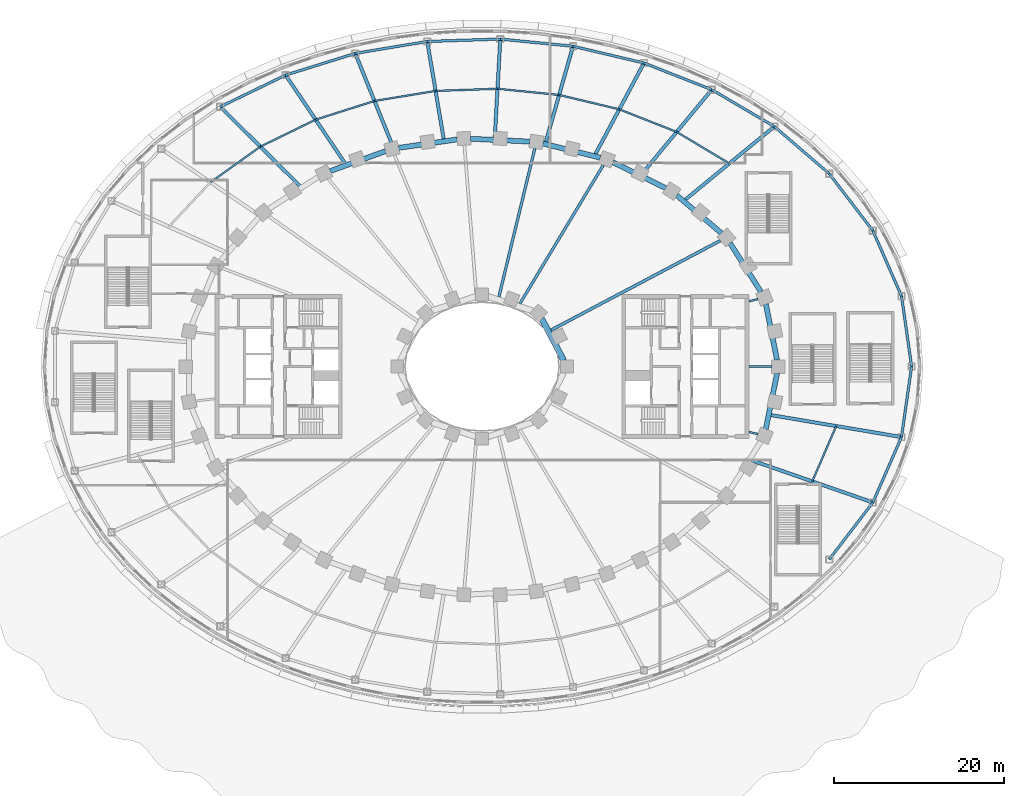
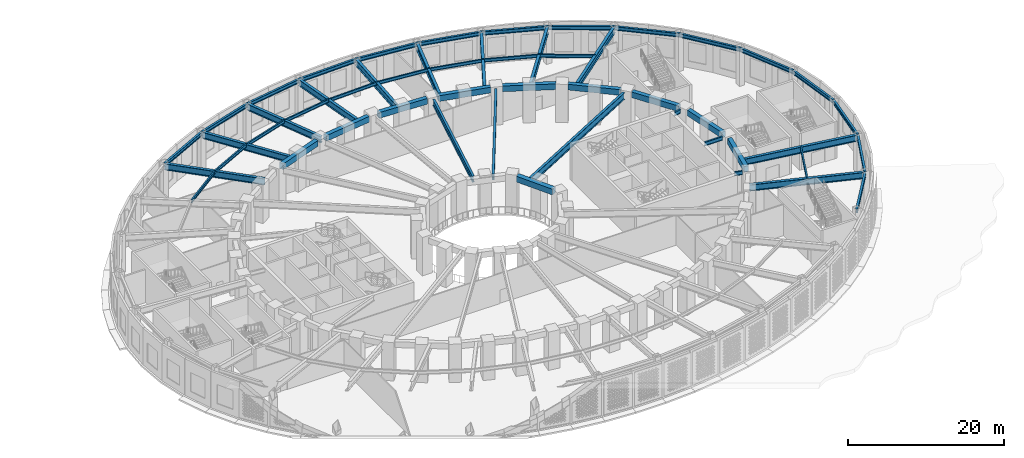
# One storey, part 13 of 74: 52 beams.
"""IFC4 building model written with IfcOpenShell, lengths in metres."""

from ifc_helpers import new_model, si_unit, direction, frame, origin, origin_2d, place, context, subcontext, project, spatial, rectangle, i_section, extrude, material, material_profile, profile_set, type_object, element, save


model = new_model("IFC4")

# Units and contexts
model_context = context("Model", 3, precision=1e-05, world=origin(), true_north=direction((0.0, 1.0)))
body_context = subcontext(model_context, "Body", "Model", "MODEL_VIEW")
ifc_project = project(units=[si_unit("LENGTHUNIT", "METRE"), si_unit("AREAUNIT", "SQUARE_METRE"), si_unit("VOLUMEUNIT", "CUBIC_METRE"), si_unit("PLANEANGLEUNIT", "RADIAN"), si_unit("MASSUNIT", "GRAM", prefix="KILO")], contexts=[model_context])

# Site, building, storey
site_placement = place(None, origin())
site = spatial("IfcSite", under=ifc_project, at=site_placement, CompositionType="ELEMENT")
building_placement = place(site_placement, origin())
building = spatial("IfcBuilding", under=site, at=building_placement, Name="Noorbagh Ring Tower", CompositionType="ELEMENT")
storey_placement = place(building_placement, frame((0.0, 0.0, 7.5)))
storey = spatial("IfcBuildingStorey", under=building, at=storey_placement, Name="L01", CompositionType="ELEMENT", Elevation=7.5)

# Beams
ifc_material_1 = material(Name="Steel S355", Category="steel")
ifc_material_profile_1 = material_profile(ifc_material_1, i_section(OverallWidth=0.300048828125, OverallDepth=0.60009765625, WebThickness=0.015380859375, FlangeThickness=0.030029296875, FilletRadius=0.027099609375, at=origin_2d()), Name="HEB600")
ifc_profile_set_1 = profile_set([ifc_material_profile_1], Name="Steel S355")
beam_type_1 = type_object("IfcBeamType", Name="GND-EDGE-BEAM-HEB600", PredefinedType="BEAM", material=ifc_profile_set_1)
beam_1_placement = place(storey_placement, frame((50.646484375, 0.0, 5.449951171875), z_axis=(-0.14132764164, 0.989962876934, 0.0), x_axis=(-0.989962876934, -0.14132764164, 0.0)))
element("IfcBeam", 1, at=beam_1_placement, inside=storey, type_object=beam_type_1, Name="L01/bm/ERP-01", PredefinedType="BEAM", context=body_context, shape_type="SweptSolid", body=[
    extrude(i_section(OverallWidth=0.300048828125, OverallDepth=0.60009765625, WebThickness=0.015380859375, FlangeThickness=0.030029296875, FilletRadius=0.027099609375, at=origin_2d()), origin(), (0.0, 0.0, 1.0), 8.388671875),
])
beam_2_placement = place(storey_placement, frame((49.4609375, 8.304443359375, 5.449951171875), z_axis=(-0.401171506371, 0.916002959862, 0.0), x_axis=(-0.916002959862, -0.401171506371, 0.0)))
element("IfcBeam", 2, at=beam_2_placement, inside=storey, type_object=beam_type_1, Name="L01/bm/ERP-02", PredefinedType="BEAM", context=body_context, shape_type="SweptSolid", body=[
    extrude(i_section(OverallWidth=0.300048828125, OverallDepth=0.60009765625, WebThickness=0.015380859375, FlangeThickness=0.030029296875, FilletRadius=0.027099609375, at=origin_2d()), origin(), (0.0, 0.0, 1.0), 8.42431640625),
])
beam_3_placement = place(storey_placement, frame((46.081298828125, 16.021240234375, 5.449951171875), z_axis=(-0.608048680374, 0.793899743227, 0.0), x_axis=(-0.793899743227, -0.608048680374, 0.0)))
element("IfcBeam", 3, at=beam_3_placement, inside=storey, type_object=beam_type_1, Name="L01/bm/ERP-03", PredefinedType="BEAM", context=body_context, shape_type="SweptSolid", body=[
    extrude(i_section(OverallWidth=0.300048828125, OverallDepth=0.60009765625, WebThickness=0.015380859375, FlangeThickness=0.030029296875, FilletRadius=0.027099609375, at=origin_2d()), origin(), (0.0, 0.0, 1.0), 8.4755859375),
])
beam_4_placement = place(storey_placement, frame((40.927734375, 22.75, 5.449951171875), z_axis=(-0.758254861469, 0.651958254076, 0.0), x_axis=(-0.651958254076, -0.758254861469, 0.0)))
element("IfcBeam", 4, at=beam_4_placement, inside=storey, type_object=beam_type_1, Name="L01/bm/ERP-04", PredefinedType="BEAM", context=body_context, shape_type="SweptSolid", body=[
    extrude(i_section(OverallWidth=0.300048828125, OverallDepth=0.60009765625, WebThickness=0.015380859375, FlangeThickness=0.030029296875, FilletRadius=0.027099609375, at=origin_2d()), origin(), (0.0, 0.0, 1.0), 8.5234375),
])
beam_5_placement = place(storey_placement, frame((34.46484375, 28.306884765625, 5.449951171875), z_axis=(-0.8618652907, 0.507137279922, 0.0), x_axis=(-0.507137279922, -0.8618652907, 0.0)))
element("IfcBeam", 5, at=beam_5_placement, inside=storey, type_object=beam_type_1, Name="L01/bm/ERP-05", PredefinedType="BEAM", context=body_context, shape_type="SweptSolid", body=[
    extrude(i_section(OverallWidth=0.300048828125, OverallDepth=0.60009765625, WebThickness=0.015380859375, FlangeThickness=0.030029296875, FilletRadius=0.027099609375, at=origin_2d()), origin(), (0.0, 0.0, 1.0), 8.560302734375),
])
beam_6_placement = place(storey_placement, frame((27.0869140625, 32.648193359375, 5.449951171875), z_axis=(-0.930571668723, 0.366109777758, 0.0), x_axis=(-0.366109777758, -0.930571668723, 0.0)))
element("IfcBeam", 6, at=beam_6_placement, inside=storey, type_object=beam_type_1, Name="L01/bm/ERP-06", PredefinedType="BEAM", context=body_context, shape_type="SweptSolid", body=[
    extrude(i_section(OverallWidth=0.300048828125, OverallDepth=0.60009765625, WebThickness=0.015380859375, FlangeThickness=0.030029296875, FilletRadius=0.027099609375, at=origin_2d()), origin(), (0.0, 0.0, 1.0), 8.58642578125),
])
beam_7_placement = place(storey_placement, frame((19.0966796875, 35.791748046875, 5.449951171875), z_axis=(-0.973167977411, 0.230095822957, 0.0), x_axis=(-0.230095822957, -0.973167977411, 0.0)))
element("IfcBeam", 7, at=beam_7_placement, inside=storey, type_object=beam_type_1, Name="L01/bm/ERP-07", PredefinedType="BEAM", context=body_context, shape_type="SweptSolid", body=[
    extrude(i_section(OverallWidth=0.300048828125, OverallDepth=0.60009765625, WebThickness=0.015380859375, FlangeThickness=0.030029296875, FilletRadius=0.027099609375, at=origin_2d()), origin(), (0.0, 0.0, 1.0), 8.602783203125),
])
beam_8_placement = place(storey_placement, frame((10.724609375, 37.771240234375, 5.449951171875), z_axis=(-0.9951967317, 0.097895174616, 0.0), x_axis=(-0.097895174616, -0.9951967317, 0.0)))
element("IfcBeam", 8, at=beam_8_placement, inside=storey, type_object=beam_type_1, Name="L01/bm/ERP-08", PredefinedType="BEAM", context=body_context, shape_type="SweptSolid", body=[
    extrude(i_section(OverallWidth=0.300048828125, OverallDepth=0.60009765625, WebThickness=0.015380859375, FlangeThickness=0.030029296875, FilletRadius=0.027099609375, at=origin_2d()), origin(), (0.0, 0.0, 1.0), 8.611328125),
])
beam_9_placement = place(storey_placement, frame((2.154541015625, 38.6142578125, 5.449951171875), z_axis=(-0.999468589483, -0.032596604688, 0.0), x_axis=(0.032596604688, -0.999468589483, 0.0)))
element("IfcBeam", 9, at=beam_9_placement, inside=storey, type_object=beam_type_1, Name="L01/bm/ERP-09", PredefinedType="BEAM", context=body_context, shape_type="SweptSolid", body=[
    extrude(i_section(OverallWidth=0.300048828125, OverallDepth=0.60009765625, WebThickness=0.015380859375, FlangeThickness=0.030029296875, FilletRadius=0.027099609375, at=origin_2d()), origin(), (0.0, 0.0, 1.0), 8.61328125),
])
beam_10_placement = place(storey_placement, frame((-6.4541015625, 38.33349609375, 5.449951171875), z_axis=(-0.986523163949, -0.163621658075, 0.0), x_axis=(0.163621658075, -0.986523163949, 0.0)))
element("IfcBeam", 10, at=beam_10_placement, inside=storey, type_object=beam_type_1, Name="L01/bm/ERP-10", PredefinedType="BEAM", context=body_context, shape_type="SweptSolid", body=[
    extrude(i_section(OverallWidth=0.300048828125, OverallDepth=0.60009765625, WebThickness=0.015380859375, FlangeThickness=0.030029296875, FilletRadius=0.027099609375, at=origin_2d()), origin(), (0.0, 0.0, 1.0), 8.60791015625),
])
beam_11_placement = place(storey_placement, frame((-14.946044921875, 36.925048828125, 5.449951171875), z_axis=(-0.954717204091, -0.297514806713, 0.0), x_axis=(0.297514806713, -0.954717204091, 0.0)))
element("IfcBeam", 11, at=beam_11_placement, inside=storey, type_object=beam_type_1, Name="L01/bm/ERP-11", PredefinedType="BEAM", context=body_context, shape_type="SweptSolid", body=[
    extrude(i_section(OverallWidth=0.300048828125, OverallDepth=0.60009765625, WebThickness=0.015380859375, FlangeThickness=0.030029296875, FilletRadius=0.027099609375, at=origin_2d()), origin(), (0.0, 0.0, 1.0), 8.595703125),
])
beam_12_placement = place(storey_placement, frame((-23.152587890625, 34.36767578125, 5.449951171875), z_axis=(-0.89994920641, -0.435994754421, 0.0), x_axis=(0.435994754421, -0.89994920641, 0.0)))
element("IfcBeam", 12, at=beam_12_placement, inside=storey, type_object=beam_type_1, Name="L01/bm/ERP-12", PredefinedType="BEAM", context=body_context, shape_type="SweptSolid", body=[
    extrude(i_section(OverallWidth=0.300048828125, OverallDepth=0.60009765625, WebThickness=0.015380859375, FlangeThickness=0.030029296875, FilletRadius=0.027099609375, at=origin_2d()), origin(), (0.0, 0.0, 1.0), 8.57470703125),
])
beam_13_placement = place(storey_placement, frame((40.927734375, -22.75, 5.449951171875), z_axis=(0.608048680374, 0.793899743227, 0.0), x_axis=(-0.793899743227, 0.608048680374, 0.0)))
element("IfcBeam", 13, at=beam_13_placement, inside=storey, type_object=beam_type_1, Name="L01/bm/ERP-31", PredefinedType="BEAM", context=body_context, shape_type="SweptSolid", body=[
    extrude(i_section(OverallWidth=0.300048828125, OverallDepth=0.60009765625, WebThickness=0.015380859375, FlangeThickness=0.030029296875, FilletRadius=0.027099609375, at=origin_2d()), origin(), (0.0, 0.0, 1.0), 8.4755859375),
])
beam_14_placement = place(storey_placement, frame((46.081298828125, -16.021240234375, 5.449951171875), z_axis=(0.401171506371, 0.916002959862, 0.0), x_axis=(-0.916002959862, 0.401171506371, 0.0)))
element("IfcBeam", 14, at=beam_14_placement, inside=storey, type_object=beam_type_1, Name="L01/bm/ERP-32", PredefinedType="BEAM", context=body_context, shape_type="SweptSolid", body=[
    extrude(i_section(OverallWidth=0.300048828125, OverallDepth=0.60009765625, WebThickness=0.015380859375, FlangeThickness=0.030029296875, FilletRadius=0.027099609375, at=origin_2d()), origin(), (0.0, 0.0, 1.0), 8.42431640625),
])
beam_15_placement = place(storey_placement, frame((49.4609375, -8.304443359375, 5.449951171875), z_axis=(0.14132764164, 0.989962876934, 0.0), x_axis=(-0.989962876934, 0.14132764164, 0.0)))
element("IfcBeam", 15, at=beam_15_placement, inside=storey, type_object=beam_type_1, Name="L01/bm/ERP-33", PredefinedType="BEAM", context=body_context, shape_type="SweptSolid", body=[
    extrude(i_section(OverallWidth=0.300048828125, OverallDepth=0.60009765625, WebThickness=0.015380859375, FlangeThickness=0.030029296875, FilletRadius=0.027099609375, at=origin_2d()), origin(), (0.0, 0.0, 1.0), 8.388671875),
])
ifc_material_2 = material(Name="Steel S355", Category="steel")
ifc_material_profile_2 = material_profile(ifc_material_2, i_section(OverallWidth=0.39990234375, OverallDepth=1.0, WebThickness=0.01611328125, FlangeThickness=0.0400390625, at=origin_2d()), Name="PG1000x400x16x40")
ifc_profile_set_2 = profile_set([ifc_material_profile_2], Name="Steel S355")
beam_type_2 = type_object("IfcBeamType", Name="GND-GIRDER-PG1000x400x16x40", PredefinedType="BEAM", material=ifc_profile_set_2)
beam_16_placement = place(storey_placement, frame((34.46484375, 28.306884765625, 5.25), z_axis=(-0.772763025599, -0.63469465593, 0.0), x_axis=(0.63469465593, -0.772763025599, 0.0)))
element("IfcBeam", 16, at=beam_16_placement, inside=storey, type_object=beam_type_2, Name="L01/bm/GRP-05", PredefinedType="BEAM", context=body_context, shape_type="SweptSolid", body=[
    extrude(i_section(OverallWidth=0.39990234375, OverallDepth=1.0, WebThickness=0.01611328125, FlangeThickness=0.0400390625, at=origin_2d()), origin(), (0.0, 0.0, 1.0), 13.723388671875),
])
beam_17_placement = place(storey_placement, frame((27.0869140625, 32.648193359375, 5.25), z_axis=(-0.638516852805, -0.769607840841, 0.0), x_axis=(0.769607840841, -0.638516852805, 0.0)))
element("IfcBeam", 17, at=beam_17_placement, inside=storey, type_object=beam_type_2, Name="L01/bm/GRP-06", PredefinedType="BEAM", context=body_context, shape_type="SweptSolid", body=[
    extrude(i_section(OverallWidth=0.39990234375, OverallDepth=1.0, WebThickness=0.01611328125, FlangeThickness=0.0400390625, at=origin_2d()), origin(), (0.0, 0.0, 1.0), 12.943603515625),
])
beam_18_placement = place(storey_placement, frame((19.0966796875, 35.791748046875, 5.25), z_axis=(-0.470746944877, -0.88226827773, 0.0), x_axis=(0.88226827773, -0.470746944877, 0.0)))
element("IfcBeam", 18, at=beam_18_placement, inside=storey, type_object=beam_type_2, Name="L01/bm/GRP-07", PredefinedType="BEAM", context=body_context, shape_type="SweptSolid", body=[
    extrude(i_section(OverallWidth=0.39990234375, OverallDepth=1.0, WebThickness=0.01611328125, FlangeThickness=0.0400390625, at=origin_2d()), origin(), (0.0, 0.0, 1.0), 12.375),
])
beam_19_placement = place(storey_placement, frame((10.724609375, 37.771240234375, 5.25), z_axis=(-0.273130016452, -0.961977127645, 0.0), x_axis=(0.961977127645, -0.273130016452, 0.0)))
element("IfcBeam", 19, at=beam_19_placement, inside=storey, type_object=beam_type_2, Name="L01/bm/GRP-08", PredefinedType="BEAM", context=body_context, shape_type="SweptSolid", body=[
    extrude(i_section(OverallWidth=0.39990234375, OverallDepth=1.0, WebThickness=0.01611328125, FlangeThickness=0.0400390625, at=origin_2d()), origin(), (0.0, 0.0, 1.0), 11.939208984375),
])
beam_20_placement = place(storey_placement, frame((2.154541015625, 38.6142578125, 5.25), z_axis=(-0.055716608816, -0.998446623261, 0.0), x_axis=(0.998446623261, -0.055716608816, 0.0)))
element("IfcBeam", 20, at=beam_20_placement, inside=storey, type_object=beam_type_2, Name="L01/bm/GRP-09", PredefinedType="BEAM", context=body_context, shape_type="SweptSolid", body=[
    extrude(i_section(OverallWidth=0.39990234375, OverallDepth=1.0, WebThickness=0.01611328125, FlangeThickness=0.0400390625, at=origin_2d()), origin(), (0.0, 0.0, 1.0), 11.734619140625),
])
beam_21_placement = place(storey_placement, frame((-6.4541015625, 38.33349609375, 5.25), z_axis=(0.166032765637, -0.986120236449, 0.0), x_axis=(0.986120236449, 0.166032765637, 0.0)))
element("IfcBeam", 21, at=beam_21_placement, inside=storey, type_object=beam_type_2, Name="L01/bm/GRP-10", PredefinedType="BEAM", context=body_context, shape_type="SweptSolid", body=[
    extrude(i_section(OverallWidth=0.39990234375, OverallDepth=1.0, WebThickness=0.01611328125, FlangeThickness=0.0400390625, at=origin_2d()), origin(), (0.0, 0.0, 1.0), 11.82373046875),
])
beam_22_placement = place(storey_placement, frame((-14.946044921875, 36.925048828125, 5.25), z_axis=(0.375201842514, -0.926943135998, 0.0), x_axis=(0.926943135998, 0.375201842514, 0.0)))
element("IfcBeam", 22, at=beam_22_placement, inside=storey, type_object=beam_type_2, Name="L01/bm/GRP-11", PredefinedType="BEAM", context=body_context, shape_type="SweptSolid", body=[
    extrude(i_section(OverallWidth=0.39990234375, OverallDepth=1.0, WebThickness=0.01611328125, FlangeThickness=0.0400390625, at=origin_2d()), origin(), (0.0, 0.0, 1.0), 12.094970703125),
])
beam_23_placement = place(storey_placement, frame((-23.152587890625, 34.36767578125, 5.25), z_axis=(0.558711358029, -0.829362175656, 0.0), x_axis=(0.829362175656, 0.558711358029, 0.0)))
element("IfcBeam", 23, at=beam_23_placement, inside=storey, type_object=beam_type_2, Name="L01/bm/GRP-12", PredefinedType="BEAM", context=body_context, shape_type="SweptSolid", body=[
    extrude(i_section(OverallWidth=0.39990234375, OverallDepth=1.0, WebThickness=0.01611328125, FlangeThickness=0.0400390625, at=origin_2d()), origin(), (0.0, 0.0, 1.0), 12.6630859375),
])
beam_24_placement = place(storey_placement, frame((-30.869384765625, 30.629150390625, 5.25), z_axis=(0.70986613718, -0.704336615039, 0.0), x_axis=(0.704336615039, 0.70986613718, 0.0)))
element("IfcBeam", 24, at=beam_24_placement, inside=storey, type_object=beam_type_2, Name="L01/bm/GRP-13", PredefinedType="BEAM", context=body_context, shape_type="SweptSolid", body=[
    extrude(i_section(OverallWidth=0.39990234375, OverallDepth=1.0, WebThickness=0.01611328125, FlangeThickness=0.0400390625, at=origin_2d()), origin(), (0.0, 0.0, 1.0), 13.333984375),
])
beam_25_placement = place(storey_placement, frame((46.081298828125, -16.021240234375, 5.25), z_axis=(-0.94453989429, 0.328396693185, 0.0), x_axis=(-0.328396693185, -0.94453989429, 0.0)))
element("IfcBeam", 25, at=beam_25_placement, inside=storey, type_object=beam_type_2, Name="L01/bm/GRP-32", PredefinedType="BEAM", context=body_context, shape_type="SweptSolid", body=[
    extrude(i_section(OverallWidth=0.39990234375, OverallDepth=1.0, WebThickness=0.01611328125, FlangeThickness=0.0400390625, at=origin_2d()), origin(), (0.0, 0.0, 1.0), 15.12890625),
])
beam_26_placement = place(storey_placement, frame((49.4609375, -8.304443359375, 5.25), z_axis=(-0.986194768087, 0.165589490602, 0.0), x_axis=(-0.165589490602, -0.986194768087, 0.0)))
element("IfcBeam", 26, at=beam_26_placement, inside=storey, type_object=beam_type_2, Name="L01/bm/GRP-33", PredefinedType="BEAM", context=body_context, shape_type="SweptSolid", body=[
    extrude(i_section(OverallWidth=0.39990234375, OverallDepth=1.0, WebThickness=0.01611328125, FlangeThickness=0.0400390625, at=origin_2d()), origin(), (0.0, 0.0, 1.0), 15.62841796875),
])
ifc_material_3 = material(Name="Steel S355", Category="steel")
ifc_material_profile_3 = material_profile(ifc_material_3, i_section(OverallWidth=0.199951171875, OverallDepth=0.5, WebThickness=0.01025390625, FlangeThickness=0.01611328125, FilletRadius=0.02099609375, at=origin_2d()), Name="IPE500")
ifc_profile_set_3 = profile_set([ifc_material_profile_3], Name="Steel S355")
beam_type_3 = type_object("IfcBeamType", Name="GND-MID-BEAM-IPE500", PredefinedType="JOIST", material=ifc_profile_set_3)
beam_27_placement = place(storey_placement, frame((29.162353515625, 23.951904296875, 5.5), z_axis=(-0.858046251749, 0.513572419293, 0.0), x_axis=(-0.513572419293, -0.858046251749, 0.0)))
element("IfcBeam", 27, at=beam_27_placement, inside=storey, type_object=beam_type_3, Name="L01/bm/MRP-05", PredefinedType="JOIST", context=body_context, shape_type="SweptSolid", body=[
    extrude(i_section(OverallWidth=0.199951171875, OverallDepth=0.5, WebThickness=0.01025390625, FlangeThickness=0.01611328125, FilletRadius=0.02099609375, at=origin_2d()), origin(), (0.0, 0.0, 1.0), 7.23486328125),
])
beam_28_placement = place(storey_placement, frame((22.95458984375, 27.66748046875, 5.5), z_axis=(-0.930496782909, 0.36630006415, 0.0), x_axis=(-0.36630006415, -0.930496782909, 0.0)))
element("IfcBeam", 28, at=beam_28_placement, inside=storey, type_object=beam_type_3, Name="L01/bm/MRP-06", PredefinedType="JOIST", context=body_context, shape_type="SweptSolid", body=[
    extrude(i_section(OverallWidth=0.199951171875, OverallDepth=0.5, WebThickness=0.01025390625, FlangeThickness=0.01611328125, FilletRadius=0.02099609375, at=origin_2d()), origin(), (0.0, 0.0, 1.0), 7.276123046875),
])
beam_29_placement = place(storey_placement, frame((16.18408203125, 30.332763671875, 5.5), z_axis=(-0.972568186564, 0.23261797541, 0.0), x_axis=(-0.23261797541, -0.972568186564, 0.0)))
element("IfcBeam", 29, at=beam_29_placement, inside=storey, type_object=beam_type_3, Name="L01/bm/MRP-07", PredefinedType="JOIST", context=body_context, shape_type="SweptSolid", body=[
    extrude(i_section(OverallWidth=0.199951171875, OverallDepth=0.5, WebThickness=0.01025390625, FlangeThickness=0.01611328125, FilletRadius=0.02099609375, at=origin_2d()), origin(), (0.0, 0.0, 1.0), 7.2900390625),
])
beam_30_placement = place(storey_placement, frame((9.093994140625, 32.028564453125, 5.5), z_axis=(-0.99502493545, 0.099626190493, 0.0), x_axis=(-0.099626190493, -0.99502493545, 0.0)))
element("IfcBeam", 30, at=beam_30_placement, inside=storey, type_object=beam_type_3, Name="L01/bm/MRP-08", PredefinedType="JOIST", context=body_context, shape_type="SweptSolid", body=[
    extrude(i_section(OverallWidth=0.199951171875, OverallDepth=0.5, WebThickness=0.01025390625, FlangeThickness=0.01611328125, FilletRadius=0.02099609375, at=origin_2d()), origin(), (0.0, 0.0, 1.0), 7.302734375),
])
beam_31_placement = place(storey_placement, frame((1.82763671875, 32.756103515625, 5.5), z_axis=(-0.999402620435, -0.034560125398, 0.0), x_axis=(0.034560125398, -0.999402620435, 0.0)))
element("IfcBeam", 31, at=beam_31_placement, inside=storey, type_object=beam_type_3, Name="L01/bm/MRP-09", PredefinedType="JOIST", context=body_context, shape_type="SweptSolid", body=[
    extrude(i_section(OverallWidth=0.199951171875, OverallDepth=0.5, WebThickness=0.01025390625, FlangeThickness=0.01611328125, FilletRadius=0.02099609375, at=origin_2d()), origin(), (0.0, 0.0, 1.0), 7.304443359375),
])
beam_32_placement = place(storey_placement, frame((-5.472412109375, 32.503662109375, 5.5), z_axis=(-0.986756598534, -0.162207938309, 0.0), x_axis=(0.162207938309, -0.986756598534, 0.0)))
element("IfcBeam", 32, at=beam_32_placement, inside=storey, type_object=beam_type_3, Name="L01/bm/MRP-10", PredefinedType="JOIST", context=body_context, shape_type="SweptSolid", body=[
    extrude(i_section(OverallWidth=0.199951171875, OverallDepth=0.5, WebThickness=0.01025390625, FlangeThickness=0.01611328125, FilletRadius=0.02099609375, at=origin_2d()), origin(), (0.0, 0.0, 1.0), 7.30126953125),
])
beam_33_placement = place(storey_placement, frame((-12.677001953125, 31.3193359375, 5.5), z_axis=(-0.9531202752, -0.302591706765, 0.0), x_axis=(0.302591706765, -0.9531202752, 0.0)))
element("IfcBeam", 33, at=beam_33_placement, inside=storey, type_object=beam_type_3, Name="L01/bm/MRP-11", PredefinedType="JOIST", context=body_context, shape_type="SweptSolid", body=[
    extrude(i_section(OverallWidth=0.199951171875, OverallDepth=0.5, WebThickness=0.01025390625, FlangeThickness=0.01611328125, FilletRadius=0.02099609375, at=origin_2d()), origin(), (0.0, 0.0, 1.0), 7.279296875),
])
beam_34_placement = place(storey_placement, frame((-19.614990234375, 29.11669921875, 5.5), z_axis=(-0.898658812704, -0.438648308271, 0.0), x_axis=(0.438648308271, -0.898658812704, 0.0)))
element("IfcBeam", 34, at=beam_34_placement, inside=storey, type_object=beam_type_3, Name="L01/bm/MRP-12", PredefinedType="JOIST", context=body_context, shape_type="SweptSolid", body=[
    extrude(i_section(OverallWidth=0.199951171875, OverallDepth=0.5, WebThickness=0.01025390625, FlangeThickness=0.01611328125, FilletRadius=0.02099609375, at=origin_2d()), origin(), (0.0, 0.0, 1.0), 7.257080078125),
])
beam_35_placement = place(storey_placement, frame((-26.13671875, 25.933349609375, 5.5), z_axis=(-0.813381743113, -0.581730298308, 0.0), x_axis=(0.581730298308, -0.813381743113, 0.0)))
element("IfcBeam", 35, at=beam_35_placement, inside=storey, type_object=beam_type_3, Name="L01/bm/MRP-13", PredefinedType="JOIST", context=body_context, shape_type="SweptSolid", body=[
    extrude(i_section(OverallWidth=0.199951171875, OverallDepth=0.5, WebThickness=0.01025390625, FlangeThickness=0.01611328125, FilletRadius=0.02099609375, at=origin_2d()), origin(), (0.0, 0.0, 1.0), 7.2255859375),
])
beam_36_placement = place(storey_placement, frame((38.936279296875, -13.537109375, 5.5), z_axis=(0.396441936779, 0.918059796943, 0.0), x_axis=(-0.918059796943, 0.396441936779, 0.0)))
element("IfcBeam", 36, at=beam_36_placement, inside=storey, type_object=beam_type_3, Name="L01/bm/MRP-32", PredefinedType="JOIST", context=body_context, shape_type="SweptSolid", body=[
    extrude(i_section(OverallWidth=0.199951171875, OverallDepth=0.5, WebThickness=0.01025390625, FlangeThickness=0.01611328125, FilletRadius=0.02099609375, at=origin_2d()), origin(), (0.0, 0.0, 1.0), 7.109130859375),
])
ifc_material_4 = material(Name="Steel S355", Category="steel")
ifc_material_profile_4 = material_profile(ifc_material_4, i_section(OverallWidth=0.219970703125, OverallDepth=0.60009765625, WebThickness=0.011962890625, FlangeThickness=0.01904296875, FilletRadius=0.02392578125, at=origin_2d()), Name="IPE600")
ifc_profile_set_4 = profile_set([ifc_material_profile_4], Name="Steel S355")
beam_type_4 = type_object("IfcBeamType", Name="STR-RAD-IPE600", PredefinedType="BEAM", material=ifc_profile_set_4)
beam_37_placement = place(storey_placement, frame((34.164794921875, 0.0, 5.449951171875), z_axis=(-1.0, 0.0, 0.0), x_axis=(0.0, -1.0, 0.0)))
element("IfcBeam", 37, at=beam_37_placement, inside=storey, type_object=beam_type_4, Name="L01/bm/RD01", PredefinedType="BEAM", context=body_context, shape_type="SweptSolid", body=[
    extrude(i_section(OverallWidth=0.219970703125, OverallDepth=0.60009765625, WebThickness=0.011962890625, FlangeThickness=0.01904296875, FilletRadius=0.02392578125, at=origin_2d()), origin(), (0.0, 0.0, 1.0), 2.684814453125),
])
for number, where, z_axis, x_axis, name in (
    (38, (32.538818359375, 7.9619140625, 5.449951171875), (-0.971330054052, -0.237734991315, 0.0), (0.237734991315, -0.971330054052, 0.0), "L01/bm/RD03"),
    (39, (32.538818359375, -7.9619140625, 5.449951171875), (-0.971330054052, 0.237734991315, 0.0), (-0.237734991315, -0.971330054052, 0.0), "L01/bm/RD45"),
):
    element("IfcBeam", number, at=place(storey_placement, frame(where, z_axis=z_axis, x_axis=x_axis)), inside=storey, type_object=beam_type_4, Name=name, PredefinedType="BEAM", context=body_context, shape_type="SweptSolid", body=[
        extrude(i_section(OverallWidth=0.219970703125, OverallDepth=0.60009765625, WebThickness=0.011962890625, FlangeThickness=0.01904296875, FilletRadius=0.02392578125, at=origin_2d()), origin(), (0.0, 0.0, 1.0), 1.089599609375),
    ])
ifc_material_5 = material(Name="Steel S355", Category="steel")
ifc_material_profile_5 = material_profile(ifc_material_5, i_section(OverallWidth=0.35009765625, OverallDepth=1.050048828125, WebThickness=0.01806640625, FlangeThickness=0.033935546875, at=origin_2d()), Name="PG1050x350x18x34")
ifc_profile_set_5 = profile_set([ifc_material_profile_5], Name="Steel S355")
beam_type_5 = type_object("IfcBeamType", Name="STR-RAD-PG1050x350x18x34", PredefinedType="BEAM", material=ifc_profile_set_5)
beam_38_placement = place(storey_placement, frame((28.108642578125, 14.855224609375, 5.22509765625), z_axis=(-0.884121906441, -0.467256304988, 0.0), x_axis=(0.467256304988, -0.884121906441, 0.0)))
element("IfcBeam", 40, at=beam_38_placement, inside=storey, type_object=beam_type_5, Name="L01/bm/RD05", PredefinedType="BEAM", context=body_context, shape_type="SweptSolid", body=[
    extrude(i_section(OverallWidth=0.35009765625, OverallDepth=1.050048828125, WebThickness=0.01806640625, FlangeThickness=0.033935546875, at=origin_2d()), origin(), (0.0, 0.0, 1.0), 22.601806640625),
])
ifc_material_6 = material(Name="Steel S355", Category="steel")
ifc_material_profile_6 = material_profile(ifc_material_6, i_section(OverallWidth=0.320068359375, OverallDepth=0.949951171875, WebThickness=0.01611328125, FlangeThickness=0.030029296875, at=origin_2d()), Name="PG950x320x16x30")
ifc_profile_set_6 = profile_set([ifc_material_profile_6], Name="Steel S355")
beam_type_6 = type_object("IfcBeamType", Name="STR-RAD-PG950x320x16x30", PredefinedType="BEAM", material=ifc_profile_set_6)
beam_39_placement = place(storey_placement, frame((14.29931640625, 23.759033203125, 5.27490234375), z_axis=(-0.515655762899, -0.856795853275, 0.0), x_axis=(0.856795853275, -0.515655762899, 0.0)))
element("IfcBeam", 41, at=beam_39_placement, inside=storey, type_object=beam_type_6, Name="L01/bm/RD09", PredefinedType="BEAM", context=body_context, shape_type="SweptSolid", body=[
    extrude(i_section(OverallWidth=0.320068359375, OverallDepth=0.949951171875, WebThickness=0.01611328125, FlangeThickness=0.030029296875, at=origin_2d()), origin(), (0.0, 0.0, 1.0), 19.0888671875),
])
beam_40_placement = place(storey_placement, frame((6.22509765625, 25.729248046875, 5.27490234375), z_axis=(-0.235155855534, -0.971957675832, 0.0), x_axis=(0.971957675832, -0.235155855534, 0.0)))
element("IfcBeam", 42, at=beam_40_placement, inside=storey, type_object=beam_type_6, Name="L01/bm/RD11", PredefinedType="BEAM", context=body_context, shape_type="SweptSolid", body=[
    extrude(i_section(OverallWidth=0.320068359375, OverallDepth=0.949951171875, WebThickness=0.01611328125, FlangeThickness=0.030029296875, at=origin_2d()), origin(), (0.0, 0.0, 1.0), 18.029541015625),
])
ifc_material_7 = material(Name="Concrete C40/50", Category="concrete")
ifc_material_profile_7 = material_profile(ifc_material_7, rectangle(XDim=0.699951171875, YDim=0.89990234375, at=origin_2d()), Name="RC700x900")
ifc_profile_set_7 = profile_set([ifc_material_profile_7], Name="Concrete C40/50")
beam_type_7 = type_object("IfcBeamType", Name="STR-RB-RC700x900-C40-50", PredefinedType="BEAM", material=ifc_profile_set_7)
beam_41_placement = place(storey_placement, frame((9.623779296875, 0.732177734375, 5.300048828125), z_axis=(-0.464916752751, 0.885354399668, 0.0), x_axis=(-0.885354399668, -0.464916752751, 0.0)))
element("IfcBeam", 43, at=beam_41_placement, inside=storey, type_object=beam_type_7, Name="L01/bm/RG01", PredefinedType="BEAM", context=body_context, shape_type="SweptSolid", body=[
    extrude(rectangle(XDim=0.699951171875, YDim=0.89990234375, at=origin_2d()), origin(), (0.0, 0.0, 1.0), 5.543701171875),
])
ifc_material_8 = material(Name="Concrete C40/50", Category="concrete")
ifc_material_profile_8 = material_profile(ifc_material_8, rectangle(XDim=0.60009765625, YDim=0.89990234375, at=origin_2d()), Name="RC600x900")
ifc_profile_set_8 = profile_set([ifc_material_profile_8], Name="Concrete C40/50")
beam_type_8 = type_object("IfcBeamType", Name="STR-SB-RC600x900-C40-50", PredefinedType="BEAM", material=ifc_profile_set_8)
beam_42_placement = place(storey_placement, frame((34.78759765625, 0.7802734375, 5.300048828125), z_axis=(-0.197212569156, 0.980360751238, 0.0), x_axis=(-0.980360751238, -0.197212569156, 0.0)))
element("IfcBeam", 44, at=beam_42_placement, inside=storey, type_object=beam_type_8, Name="L01/bm/SP01", PredefinedType="BEAM", context=body_context, shape_type="SweptSolid", body=[
    extrude(rectangle(XDim=0.60009765625, YDim=0.89990234375, at=origin_2d()), origin(), (0.0, 0.0, 1.0), 6.72216796875),
])
beam_43_placement = place(storey_placement, frame((32.881103515625, 8.81884765625, 5.300048828125), z_axis=(-0.535204111644, 0.844722770428, 0.0), x_axis=(-0.844722770428, -0.535204111644, 0.0)))
element("IfcBeam", 45, at=beam_43_placement, inside=storey, type_object=beam_type_8, Name="L01/bm/SP03", PredefinedType="BEAM", context=body_context, shape_type="SweptSolid", body=[
    extrude(rectangle(XDim=0.60009765625, YDim=0.89990234375, at=origin_2d()), origin(), (0.0, 0.0, 1.0), 6.800048828125),
])
beam_44_placement = place(storey_placement, frame((28.21728515625, 15.739990234375, 5.300048828125), z_axis=(-0.763029833708, 0.646363266957, 0.0), x_axis=(-0.646363266957, -0.763029833708, 0.0)))
element("IfcBeam", 46, at=beam_44_placement, inside=storey, type_object=beam_type_8, Name="L01/bm/SP05", PredefinedType="BEAM", context=body_context, shape_type="SweptSolid", body=[
    extrude(rectangle(XDim=0.60009765625, YDim=0.89990234375, at=origin_2d()), origin(), (0.0, 0.0, 1.0), 6.886962890625),
])
beam_45_placement = place(storey_placement, frame((21.65625, 21.044921875, 5.300048828125), z_axis=(-0.898397301801, 0.439183661031, 0.0), x_axis=(-0.439183661031, -0.898397301801, 0.0)))
element("IfcBeam", 47, at=beam_45_placement, inside=storey, type_object=beam_type_8, Name="L01/bm/SP07", PredefinedType="BEAM", context=body_context, shape_type="SweptSolid", body=[
    extrude(rectangle(XDim=0.60009765625, YDim=0.89990234375, at=origin_2d()), origin(), (0.0, 0.0, 1.0), 6.947509765625),
])
beam_46_placement = place(storey_placement, frame((13.9482421875, 24.62890625, 5.300048828125), z_axis=(-0.970827667704, 0.239778313491, 0.0), x_axis=(-0.239778313491, -0.970827667704, 0.0)))
element("IfcBeam", 48, at=beam_46_placement, inside=storey, type_object=beam_type_8, Name="L01/bm/SP09", PredefinedType="BEAM", context=body_context, shape_type="SweptSolid", body=[
    extrude(rectangle(XDim=0.60009765625, YDim=0.89990234375, at=origin_2d()), origin(), (0.0, 0.0, 1.0), 6.981689453125),
])
beam_47_placement = place(storey_placement, frame((5.62646484375, 26.528076171875, 5.300048828125), z_axis=(-0.998867742854, 0.047573440964, 0.0), x_axis=(-0.047573440964, -0.998867742854, 0.0)))
element("IfcBeam", 49, at=beam_47_placement, inside=storey, type_object=beam_type_8, Name="L01/bm/SP11", PredefinedType="BEAM", context=body_context, shape_type="SweptSolid", body=[
    extrude(rectangle(XDim=0.60009765625, YDim=0.89990234375, at=origin_2d()), origin(), (0.0, 0.0, 1.0), 6.99462890625),
])
beam_48_placement = place(storey_placement, frame((-2.9189453125, 26.785888671875, 5.300048828125), z_axis=(-0.989714845194, -0.143054273623, 0.0), x_axis=(0.143054273623, -0.989714845194, 0.0)))
element("IfcBeam", 50, at=beam_48_placement, inside=storey, type_object=beam_type_8, Name="L01/bm/SP13", PredefinedType="BEAM", context=body_context, shape_type="SweptSolid", body=[
    extrude(rectangle(XDim=0.60009765625, YDim=0.89990234375, at=origin_2d()), origin(), (0.0, 0.0, 1.0), 6.990234375),
])
beam_49_placement = place(storey_placement, frame((-11.351318359375, 25.408203125, 5.300048828125), z_axis=(-0.941030272182, -0.338322371175, 0.0), x_axis=(0.338322371175, -0.941030272182, 0.0)))
element("IfcBeam", 51, at=beam_49_placement, inside=storey, type_object=beam_type_8, Name="L01/bm/SP15", PredefinedType="BEAM", context=body_context, shape_type="SweptSolid", body=[
    extrude(rectangle(XDim=0.60009765625, YDim=0.89990234375, at=origin_2d()), origin(), (0.0, 0.0, 1.0), 6.96728515625),
])
beam_50_placement = place(storey_placement, frame((33.4619140625, -7.370361328125, 5.300048828125), z_axis=(0.197212569156, 0.980360751238, 0.0), x_axis=(-0.980360751238, 0.197212569156, 0.0)))
element("IfcBeam", 52, at=beam_50_placement, inside=storey, type_object=beam_type_8, Name="L01/bm/SP45", PredefinedType="BEAM", context=body_context, shape_type="SweptSolid", body=[
    extrude(rectangle(XDim=0.60009765625, YDim=0.89990234375, at=origin_2d()), origin(), (0.0, 0.0, 1.0), 6.72216796875),
])

save(model, "model.ifc")
